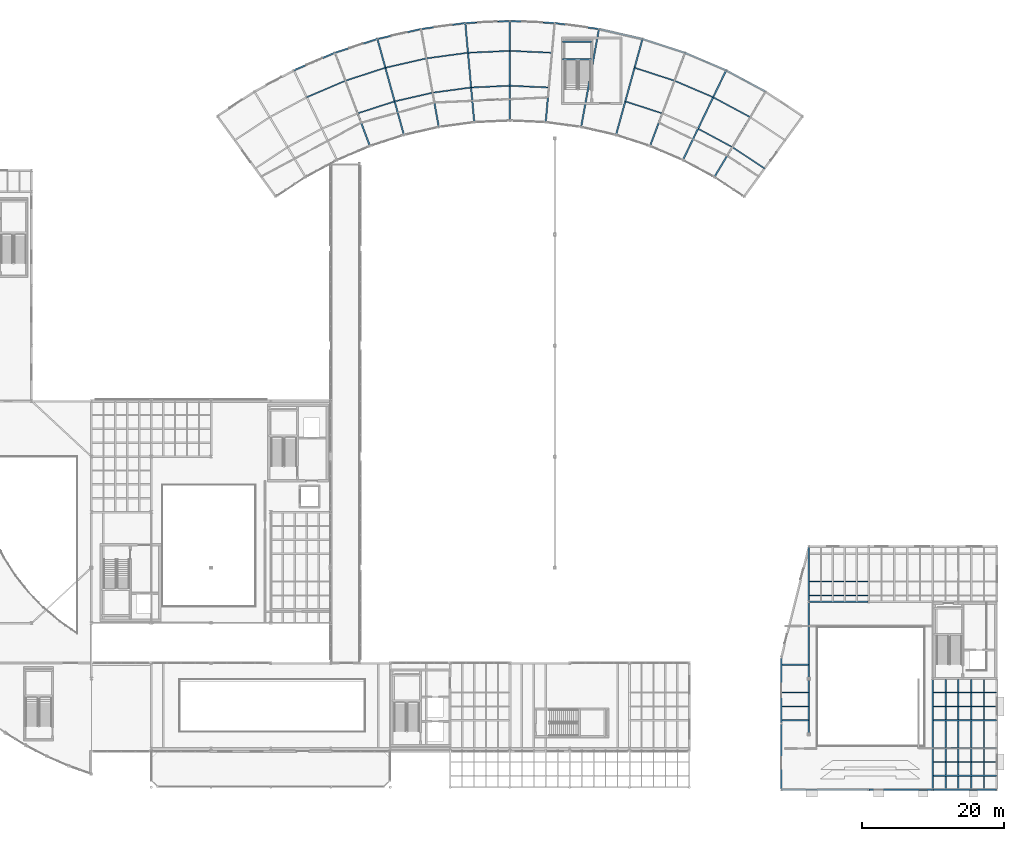
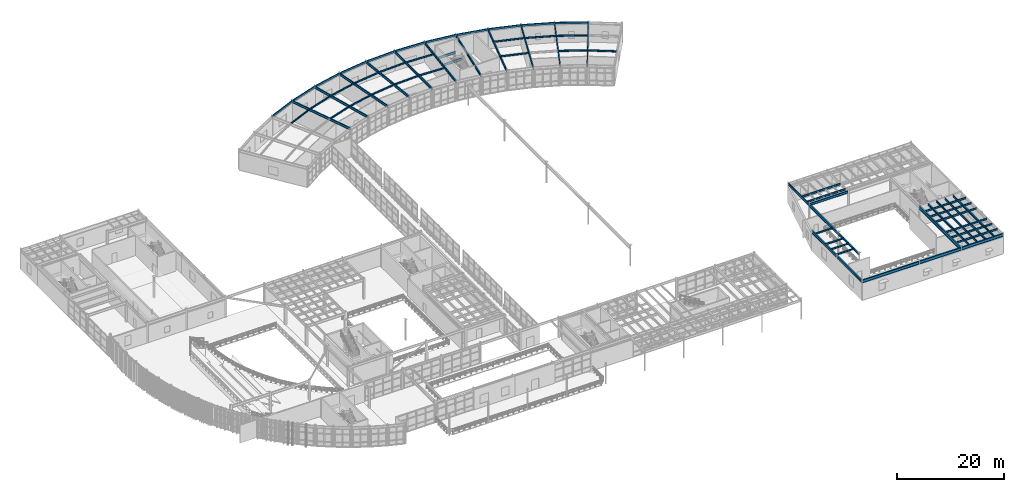
# One storey, part 78 of 116: 67 beams.
"""IFC4 building model written with IfcOpenShell, lengths in metres."""

from ifc_helpers import new_model, si_unit, direction, frame, origin, origin_2d, place, context, subcontext, project, spatial, hollow_rectangle, i_section, extrude, material, material_profile, profile_set, type_object, element, save


model = new_model("IFC4")

# Units and contexts
model_context = context("Model", 3, precision=1e-05, world=origin(), true_north=direction((0.0, 1.0)))
body_context = subcontext(model_context, "Body", "Model", "MODEL_VIEW")
ifc_project = project(units=[si_unit("LENGTHUNIT", "METRE"), si_unit("AREAUNIT", "SQUARE_METRE"), si_unit("VOLUMEUNIT", "CUBIC_METRE"), si_unit("PLANEANGLEUNIT", "RADIAN"), si_unit("MASSUNIT", "GRAM", prefix="KILO")], contexts=[model_context])

# Site, building, storey
site_placement = place(None, origin())
site = spatial("IfcSite", under=ifc_project, at=site_placement, CompositionType="ELEMENT")
building_placement = place(site_placement, origin())
building = spatial("IfcBuilding", under=site, at=building_placement, Name="Selat Folded Stagehouse", CompositionType="ELEMENT")
storey_placement = place(building_placement, frame((0.0, 0.0, 5.39990234375)))
storey = spatial("IfcBuildingStorey", under=building, at=storey_placement, Name="L01", CompositionType="ELEMENT", Elevation=5.39990234375)

# Beams
ifc_material = material(Name="Steel S355", Category="steel")
ifc_material_profile_1 = material_profile(ifc_material, i_section(OverallWidth=0.210693359375, OverallDepth=0.53955078125, WebThickness=0.01171875, FlangeThickness=0.018798828125, FilletRadius=0.0126953125, at=origin_2d()), Name="UKB 533x210x109")
ifc_profile_set_1 = profile_set([ifc_material_profile_1], Name="Steel S355")
beam_type_1 = type_object("IfcBeamType", Name="BM-GIRD-533x210x109", PredefinedType="BEAM", material=ifc_profile_set_1)
beam_1_placement = place(storey_placement, frame((134.39990234375, 7.875, 4.310302734375), z_axis=(0.0, 1.0, 0.0), x_axis=(-1.0, 0.0, 0.0)))
element("IfcBeam", 1, at=beam_1_placement, inside=storey, type_object=beam_type_1, Name="L01 primary y-girder 0843", PredefinedType="BEAM", context=body_context, shape_type="SweptSolid", body=[
    extrude(i_section(OverallWidth=0.210693359375, OverallDepth=0.53955078125, WebThickness=0.01171875, FlangeThickness=0.018798828125, FilletRadius=0.0126953125, at=origin_2d()), origin(), (0.0, 0.0, 1.0), 7.64990234375),
])
beam_2_placement = place(storey_placement, frame((134.39990234375, 26.466796875, 4.310302734375), z_axis=(0.0, 1.0, 0.0), x_axis=(-1.0, 0.0, 0.0)))
element("IfcBeam", 2, at=beam_2_placement, inside=storey, type_object=beam_type_1, Name="L01 primary y-girder 0845", PredefinedType="BEAM", context=body_context, shape_type="SweptSolid", body=[
    extrude(i_section(OverallWidth=0.210693359375, OverallDepth=0.53955078125, WebThickness=0.01171875, FlangeThickness=0.018798828125, FilletRadius=0.0126953125, at=origin_2d()), origin(), (0.0, 0.0, 1.0), 7.66650390625),
])
ifc_material_profile_2 = material_profile(ifc_material, i_section(OverallWidth=0.209228515625, OverallDepth=0.533203125, WebThickness=0.010009765625, FlangeThickness=0.015625, FilletRadius=0.0126953125, at=origin_2d()), Name="UKB 533x210x92")
ifc_profile_set_2 = profile_set([ifc_material_profile_2], Name="Steel S355")
beam_type_2 = type_object("IfcBeamType", Name="BM-GIRD-533x210x92", PredefinedType="BEAM", material=ifc_profile_set_2)
beam_3_placement = place(storey_placement, frame((134.466796875, 26.39990234375, 4.3134765625), z_axis=(1.0, 0.0, 0.0), x_axis=(0.0, 1.0, 0.0)))
element("IfcBeam", 3, at=beam_3_placement, inside=storey, type_object=beam_type_2, Name="L01 primary x-girder 0782", PredefinedType="BEAM", context=body_context, shape_type="SweptSolid", body=[
    extrude(i_section(OverallWidth=0.209228515625, OverallDepth=0.533203125, WebThickness=0.010009765625, FlangeThickness=0.015625, FilletRadius=0.0126953125, at=origin_2d()), origin(), (0.0, 0.0, 1.0), 8.2666015625),
])
beam_4_placement = place(storey_placement, frame((72.722900390625, 90.42919921875, 4.303466796875), z_axis=(-0.35137378289, 0.936235261405, 0.0), x_axis=(-0.936235261405, -0.35137378289, 0.0)))
element("IfcBeam", 4, at=beam_4_placement, inside=storey, type_object=beam_type_2, Name="L01 curved rehearsal radial girder 4", PredefinedType="BEAM", context=body_context, shape_type="SweptSolid", body=[
    extrude(i_section(OverallWidth=0.209228515625, OverallDepth=0.533203125, WebThickness=0.010009765625, FlangeThickness=0.015625, FilletRadius=0.0126953125, at=origin_2d()), origin(), (0.0, 0.0, 1.0), 13.999755859375),
])
for number, where, z_axis, x_axis, name in (
    (5, (77.501953125, 91.98193359375, 4.303466796875), (-0.266045228685, 0.963960547063, 0.0), (-0.963960547063, -0.266045228685, 0.0), "L01 curved rehearsal radial girder 5"),
    (6, (82.40087890625, 93.10009765625, 4.303466796875), (-0.178572369459, 0.983926780236, 0.0), (-0.983926780236, -0.178572369459, 0.0), "L01 curved rehearsal radial girder 6"),
    (7, (87.380126953125, 93.774658203125, 4.303466796875), (-0.089634758742, 0.995974703507, 0.0), (-0.995974703507, -0.089634758742, 0.0), "L01 curved rehearsal radial girder 7"),
    (8, (92.39990234375, 94.0, 4.303466796875), (0.0, 1.0, 0.0), (-1.0, 0.0, 0.0), "L01 curved rehearsal radial girder 8"),
    (9, (97.419921875, 93.774658203125, 4.303466796875), (0.089634758742, 0.995974703507, 0.0), (-0.995974703507, 0.089634758742, 0.0), "L01 curved rehearsal radial girder 9"),
    (10, (102.399169921875, 93.10009765625, 4.303466796875), (0.178555486759, 0.983929844119, 0.0), (-0.983929844119, 0.178555486759, 0.0), "L01 curved rehearsal radial girder 10"),
    (11, (107.298095703125, 91.98193359375, 4.303466796875), (0.266045228685, 0.963960547063, 0.0), (-0.963960547063, 0.266045228685, 0.0), "L01 curved rehearsal radial girder 11"),
):
    element("IfcBeam", number, at=place(storey_placement, frame(where, z_axis=z_axis, x_axis=x_axis)), inside=storey, type_object=beam_type_2, Name=name, PredefinedType="BEAM", context=body_context, shape_type="SweptSolid", body=[
        extrude(i_section(OverallWidth=0.209228515625, OverallDepth=0.533203125, WebThickness=0.010009765625, FlangeThickness=0.015625, FilletRadius=0.0126953125, at=origin_2d()), origin(), (0.0, 0.0, 1.0), 14.0),
    ])
beam_5_placement = place(storey_placement, frame((112.076904296875, 90.42919921875, 4.303466796875), z_axis=(0.35137378289, 0.936235261405, 0.0), x_axis=(-0.936235261405, 0.35137378289, 0.0)))
element("IfcBeam", 12, at=beam_5_placement, inside=storey, type_object=beam_type_2, Name="L01 curved rehearsal radial girder 12", PredefinedType="BEAM", context=body_context, shape_type="SweptSolid", body=[
    extrude(i_section(OverallWidth=0.209228515625, OverallDepth=0.533203125, WebThickness=0.010009765625, FlangeThickness=0.015625, FilletRadius=0.0126953125, at=origin_2d()), origin(), (0.0, 0.0, 1.0), 13.999755859375),
])
for number, where, z_axis, x_axis, name in (
    (13, (116.697509765625, 88.454345703125, 4.303466796875), (0.433890071226, 0.900965818492, 0.0), (-0.900965818492, 0.433890071226, 0.0), "L01 curved rehearsal radial girder 13"),
    (14, (121.122314453125, 86.072998046875, 4.303466796875), (0.512902319154, 0.858446976234, 0.0), (-0.858446976234, 0.512902319154, 0.0), "L01 curved rehearsal radial girder 14"),
):
    element("IfcBeam", number, at=place(storey_placement, frame(where, z_axis=z_axis, x_axis=x_axis)), inside=storey, type_object=beam_type_2, Name=name, PredefinedType="BEAM", context=body_context, shape_type="SweptSolid", body=[
        extrude(i_section(OverallWidth=0.209228515625, OverallDepth=0.533203125, WebThickness=0.010009765625, FlangeThickness=0.015625, FilletRadius=0.0126953125, at=origin_2d()), origin(), (0.0, 0.0, 1.0), 14.0),
    ])
for number, where, z_axis, x_axis, name in (
    (15, (99.800048828125, 102.639892578125, 1.93359375), (1.0, 0.0, 0.0), (0.0, 1.0, 0.0), "L01 ST-06 landing support beam 1"),
    (16, (99.800048828125, 105.080078125, 1.93359375), (1.0, 0.0, 0.0), (0.0, 1.0, 0.0), "L01 ST-06 landing support beam 2"),
):
    element("IfcBeam", number, at=place(storey_placement, frame(where, z_axis=z_axis, x_axis=x_axis)), inside=storey, type_object=beam_type_2, Name=name, PredefinedType="BEAM", context=body_context, shape_type="SweptSolid", body=[
        extrude(i_section(OverallWidth=0.209228515625, OverallDepth=0.533203125, WebThickness=0.010009765625, FlangeThickness=0.015625, FilletRadius=0.0126953125, at=origin_2d()), origin(), (0.0, 0.0, 1.0), 4.079833984375),
    ])
ifc_material_profile_3 = material_profile(ifc_material, i_section(OverallWidth=0.230224609375, OverallDepth=0.6171875, WebThickness=0.01318359375, FlangeThickness=0.022216796875, FilletRadius=0.0126953125, at=origin_2d()), Name="UKB 610x229x140")
ifc_profile_set_3 = profile_set([ifc_material_profile_3], Name="Steel S355")
beam_type_3 = type_object("IfcBeamType", Name="BM-GIRD-610x229x140", PredefinedType="BEAM", material=ifc_profile_set_3)
beam_6_placement = place(storey_placement, frame((130.510009765625, 0.066650390625, 4.271484375), z_axis=(0.0, 1.0, 0.0), x_axis=(-1.0, 0.0, 0.0)))
element("IfcBeam", 17, at=beam_6_placement, inside=storey, type_object=beam_type_3, Name="L01 primary y-girder 0841", PredefinedType="BEAM", context=body_context, shape_type="SweptSolid", body=[
    extrude(i_section(OverallWidth=0.230224609375, OverallDepth=0.6171875, WebThickness=0.01318359375, FlangeThickness=0.022216796875, FilletRadius=0.0126953125, at=origin_2d()), origin(), (0.0, 0.0, 1.0), 9.166748046875),
])
beam_7_placement = place(storey_placement, frame((130.510009765625, 9.36669921875, 4.271484375), z_axis=(0.0, 1.0, 0.0), x_axis=(-1.0, 0.0, 0.0)))
element("IfcBeam", 18, at=beam_7_placement, inside=storey, type_object=beam_type_3, Name="L01 primary y-girder 0842", PredefinedType="BEAM", context=body_context, shape_type="SweptSolid", body=[
    extrude(i_section(OverallWidth=0.230224609375, OverallDepth=0.6171875, WebThickness=0.01318359375, FlangeThickness=0.022216796875, FilletRadius=0.0126953125, at=origin_2d()), origin(), (0.0, 0.0, 1.0), 9.16650390625),
])
beam_8_placement = place(storey_placement, frame((134.39990234375, 15.675048828125, 4.271484375), z_axis=(0.0, 1.0, 0.0), x_axis=(-1.0, 0.0, 0.0)))
element("IfcBeam", 19, at=beam_8_placement, inside=storey, type_object=beam_type_3, Name="L01 primary y-girder 0844", PredefinedType="BEAM", context=body_context, shape_type="SweptSolid", body=[
    extrude(i_section(OverallWidth=0.230224609375, OverallDepth=0.6171875, WebThickness=0.01318359375, FlangeThickness=0.022216796875, FilletRadius=0.0126953125, at=origin_2d()), origin(), (0.0, 0.0, 1.0), 10.658203125),
])
ifc_material_profile_4 = material_profile(ifc_material, i_section(OverallWidth=0.253662109375, OverallDepth=0.68359375, WebThickness=0.012451171875, FlangeThickness=0.01904296875, FilletRadius=0.01513671875, at=origin_2d()), Name="UKB 686x254x140")
ifc_profile_set_4 = profile_set([ifc_material_profile_4], Name="Steel S355")
beam_type_4 = type_object("IfcBeamType", Name="BM-GIRD-686x254x140", PredefinedType="BEAM", material=ifc_profile_set_4)
beam_9_placement = place(storey_placement, frame((130.5771484375, 0.0, 4.23828125), z_axis=(1.0, 0.0, 0.0), x_axis=(0.0, 1.0, 0.0)))
element("IfcBeam", 20, at=beam_9_placement, inside=storey, type_object=beam_type_4, Name="L01 primary x-girder 0750", PredefinedType="BEAM", context=body_context, shape_type="SweptSolid", body=[
    extrude(i_section(OverallWidth=0.253662109375, OverallDepth=0.68359375, WebThickness=0.012451171875, FlangeThickness=0.01904296875, FilletRadius=0.01513671875, at=origin_2d()), origin(), (0.0, 0.0, 1.0), 12.15625),
])
for number, where, z_axis, x_axis, name in (
    (21, (142.86669921875, 0.0, 4.23828125), (1.0, 0.0, 0.0), (0.0, 1.0, 0.0), "L01 primary x-girder 0751"),
    (22, (151.86669921875, 0.0, 4.23828125), (1.0, 0.0, 0.0), (0.0, 1.0, 0.0), "L01 primary x-girder 0752"),
):
    element("IfcBeam", number, at=place(storey_placement, frame(where, z_axis=z_axis, x_axis=x_axis)), inside=storey, type_object=beam_type_4, Name=name, PredefinedType="BEAM", context=body_context, shape_type="SweptSolid", body=[
        extrude(i_section(OverallWidth=0.253662109375, OverallDepth=0.68359375, WebThickness=0.012451171875, FlangeThickness=0.01904296875, FilletRadius=0.01513671875, at=origin_2d()), origin(), (0.0, 0.0, 1.0), 8.86669921875),
    ])
ifc_material_profile_5 = material_profile(ifc_material, i_section(OverallWidth=0.26806640625, OverallDepth=0.769775390625, WebThickness=0.015625, FlangeThickness=0.025390625, FilletRadius=0.0166015625, at=origin_2d()), Name="UKB 762x267x197")
ifc_profile_set_5 = profile_set([ifc_material_profile_5], Name="Steel S355")
beam_type_5 = type_object("IfcBeamType", Name="BM-GIRD-762x267x197", PredefinedType="BEAM", material=ifc_profile_set_5)
beam_10_placement = place(storey_placement, frame((151.800048828125, 0.066650390625, 4.1953125), z_axis=(0.0, 1.0, 0.0), x_axis=(-1.0, 0.0, 0.0)))
element("IfcBeam", 23, at=beam_10_placement, inside=storey, type_object=beam_type_5, Name="L01 primary y-girder 0847", PredefinedType="BEAM", context=body_context, shape_type="SweptSolid", body=[
    extrude(i_section(OverallWidth=0.26806640625, OverallDepth=0.769775390625, WebThickness=0.015625, FlangeThickness=0.025390625, FilletRadius=0.0166015625, at=origin_2d()), origin(), (0.0, 0.0, 1.0), 15.466552734375),
])
ifc_material_profile_6 = material_profile(ifc_material, i_section(OverallWidth=0.17138671875, OverallDepth=0.35498046875, WebThickness=0.00732421875, FlangeThickness=0.011474609375, FilletRadius=0.01025390625, at=origin_2d()), Name="UKB 356x171x51")
ifc_profile_set_6 = profile_set([ifc_material_profile_6], Name="Steel S355")
beam_type_6 = type_object("IfcBeamType", Name="JST-356x171x51", PredefinedType="JOIST", material=ifc_profile_set_6)
for number, where, z_axis, x_axis, name in (
    (24, (130.590576171875, 9.75, 4.402587890625), (1.0, 0.0, 0.0), (0.0, 1.0, 0.0), "L01 secondary x-joist 0939"),
    (25, (130.590576171875, 11.699951171875, 4.402587890625), (1.0, 0.0, 0.0), (0.0, 1.0, 0.0), "L01 secondary x-joist 0943"),
    (26, (130.590576171875, 13.64990234375, 4.402587890625), (1.0, 0.0, 0.0), (0.0, 1.0, 0.0), "L01 secondary x-joist 0947"),
):
    element("IfcBeam", number, at=place(storey_placement, frame(where, z_axis=z_axis, x_axis=x_axis)), inside=storey, type_object=beam_type_6, Name=name, PredefinedType="JOIST", context=body_context, shape_type="SweptSolid", body=[
        extrude(i_section(OverallWidth=0.17138671875, OverallDepth=0.35498046875, WebThickness=0.00732421875, FlangeThickness=0.011474609375, FilletRadius=0.01025390625, at=origin_2d()), origin(), (0.0, 0.0, 1.0), 3.735595703125),
    ])
beam_11_placement = place(storey_placement, frame((130.590576171875, 17.550048828125, 4.402587890625), z_axis=(1.0, 0.0, 0.0), x_axis=(0.0, 1.0, 0.0)))
element("IfcBeam", 27, at=beam_11_placement, inside=storey, type_object=beam_type_6, Name="L01 secondary x-joist 0950", PredefinedType="JOIST", context=body_context, shape_type="SweptSolid", body=[
    extrude(i_section(OverallWidth=0.17138671875, OverallDepth=0.35498046875, WebThickness=0.00732421875, FlangeThickness=0.011474609375, FilletRadius=0.01025390625, at=origin_2d()), origin(), (0.0, 0.0, 1.0), 3.728759765625),
])
beam_12_placement = place(storey_placement, frame((63.850341796875, 97.28369140625, 4.392578125), z_axis=(0.91952743413, 0.393025823429, 0.0), x_axis=(-0.393025823429, 0.91952743413, 0.0)))
element("IfcBeam", 28, at=beam_12_placement, inside=storey, type_object=beam_type_6, Name="L01 curved rehearsal secondary joist 3.2", PredefinedType="JOIST", context=body_context, shape_type="SweptSolid", body=[
    extrude(i_section(OverallWidth=0.17138671875, OverallDepth=0.35498046875, WebThickness=0.00732421875, FlangeThickness=0.011474609375, FilletRadius=0.01025390625, at=origin_2d()), origin(), (0.0, 0.0, 1.0), 5.904296875),
])
beam_13_placement = place(storey_placement, frame((71.001220703125, 95.0166015625, 4.392578125), z_axis=(0.951050811942, 0.309034550017, 0.0), x_axis=(-0.309034550017, 0.951050811942, 0.0)))
element("IfcBeam", 29, at=beam_13_placement, inside=storey, type_object=beam_type_6, Name="L01 curved rehearsal secondary joist 4.1", PredefinedType="JOIST", context=body_context, shape_type="SweptSolid", body=[
    extrude(i_section(OverallWidth=0.17138671875, OverallDepth=0.35498046875, WebThickness=0.00732421875, FlangeThickness=0.011474609375, FilletRadius=0.01025390625, at=origin_2d()), origin(), (0.0, 0.0, 1.0), 5.464599609375),
])
beam_14_placement = place(storey_placement, frame((69.279541015625, 99.604248046875, 4.392578125), z_axis=(0.951058375783, 0.309011271401, 0.0), x_axis=(-0.309011271401, 0.951058375783, 0.0)))
element("IfcBeam", 30, at=beam_14_placement, inside=storey, type_object=beam_type_6, Name="L01 curved rehearsal secondary joist 4.2", PredefinedType="JOIST", context=body_context, shape_type="SweptSolid", body=[
    extrude(i_section(OverallWidth=0.17138671875, OverallDepth=0.35498046875, WebThickness=0.00732421875, FlangeThickness=0.011474609375, FilletRadius=0.01025390625, at=origin_2d()), origin(), (0.0, 0.0, 1.0), 5.904296875),
])
beam_15_placement = place(storey_placement, frame((76.1982421875, 96.705322265625, 4.392578125), z_axis=(0.974925286492, 0.222532437541, 0.0), x_axis=(-0.222532437541, 0.974925286492, 0.0)))
element("IfcBeam", 31, at=beam_15_placement, inside=storey, type_object=beam_type_6, Name="L01 curved rehearsal secondary joist 5.1", PredefinedType="JOIST", context=body_context, shape_type="SweptSolid", body=[
    extrude(i_section(OverallWidth=0.17138671875, OverallDepth=0.35498046875, WebThickness=0.00732421875, FlangeThickness=0.011474609375, FilletRadius=0.01025390625, at=origin_2d()), origin(), (0.0, 0.0, 1.0), 5.464599609375),
])
beam_16_placement = place(storey_placement, frame((74.894775390625, 101.4287109375, 4.392578125), z_axis=(0.974921599993, 0.222548587656, 0.0), x_axis=(-0.222548587656, 0.974921599993, 0.0)))
element("IfcBeam", 32, at=beam_16_placement, inside=storey, type_object=beam_type_6, Name="L01 curved rehearsal secondary joist 5.2", PredefinedType="JOIST", context=body_context, shape_type="SweptSolid", body=[
    extrude(i_section(OverallWidth=0.17138671875, OverallDepth=0.35498046875, WebThickness=0.00732421875, FlangeThickness=0.011474609375, FilletRadius=0.01025390625, at=origin_2d()), origin(), (0.0, 0.0, 1.0), 5.904052734375),
])
beam_17_placement = place(storey_placement, frame((81.52587890625, 97.92138671875, 4.392578125), z_axis=(0.990952644722, 0.134211981278, 0.0), x_axis=(-0.134211981278, 0.990952644722, 0.0)))
element("IfcBeam", 33, at=beam_17_placement, inside=storey, type_object=beam_type_6, Name="L01 curved rehearsal secondary joist 6.1", PredefinedType="JOIST", context=body_context, shape_type="SweptSolid", body=[
    extrude(i_section(OverallWidth=0.17138671875, OverallDepth=0.35498046875, WebThickness=0.00732421875, FlangeThickness=0.011474609375, FilletRadius=0.01025390625, at=origin_2d()), origin(), (0.0, 0.0, 1.0), 5.464599609375),
])
beam_18_placement = place(storey_placement, frame((80.65087890625, 102.74267578125, 4.392578125), z_axis=(0.990951300804, 0.13422190371, 0.0), x_axis=(-0.13422190371, 0.990951300804, 0.0)))
element("IfcBeam", 34, at=beam_18_placement, inside=storey, type_object=beam_type_6, Name="L01 curved rehearsal secondary joist 6.2", PredefinedType="JOIST", context=body_context, shape_type="SweptSolid", body=[
    extrude(i_section(OverallWidth=0.17138671875, OverallDepth=0.35498046875, WebThickness=0.00732421875, FlangeThickness=0.011474609375, FilletRadius=0.01025390625, at=origin_2d()), origin(), (0.0, 0.0, 1.0), 5.904296875),
])
beam_19_placement = place(storey_placement, frame((86.94091796875, 98.65478515625, 4.392578125), z_axis=(0.998993444482, 0.044856414055, 0.0), x_axis=(-0.044856414055, 0.998993444482, 0.0)))
element("IfcBeam", 35, at=beam_19_placement, inside=storey, type_object=beam_type_6, Name="L01 curved rehearsal secondary joist 7.1", PredefinedType="JOIST", context=body_context, shape_type="SweptSolid", body=[
    extrude(i_section(OverallWidth=0.17138671875, OverallDepth=0.35498046875, WebThickness=0.00732421875, FlangeThickness=0.011474609375, FilletRadius=0.01025390625, at=origin_2d()), origin(), (0.0, 0.0, 1.0), 5.464599609375),
])
beam_20_placement = place(storey_placement, frame((86.501708984375, 103.53515625, 4.392578125), z_axis=(0.998993033072, 0.044865575598, 0.0), x_axis=(-0.044865575598, 0.998993033072, 0.0)))
element("IfcBeam", 36, at=beam_20_placement, inside=storey, type_object=beam_type_6, Name="L01 curved rehearsal secondary joist 7.2", PredefinedType="JOIST", context=body_context, shape_type="SweptSolid", body=[
    extrude(i_section(OverallWidth=0.17138671875, OverallDepth=0.35498046875, WebThickness=0.00732421875, FlangeThickness=0.011474609375, FilletRadius=0.01025390625, at=origin_2d()), origin(), (0.0, 0.0, 1.0), 5.904052734375),
])
beam_21_placement = place(storey_placement, frame((92.39990234375, 98.89990234375, 4.392578125), z_axis=(0.998993444482, -0.044856414055, 0.0), x_axis=(0.044856414055, 0.998993444482, 0.0)))
element("IfcBeam", 37, at=beam_21_placement, inside=storey, type_object=beam_type_6, Name="L01 curved rehearsal secondary joist 8.1", PredefinedType="JOIST", context=body_context, shape_type="SweptSolid", body=[
    extrude(i_section(OverallWidth=0.17138671875, OverallDepth=0.35498046875, WebThickness=0.00732421875, FlangeThickness=0.011474609375, FilletRadius=0.01025390625, at=origin_2d()), origin(), (0.0, 0.0, 1.0), 5.464599609375),
])
beam_22_placement = place(storey_placement, frame((92.39990234375, 103.800048828125, 4.392578125), z_axis=(0.998993116303, -0.044863722317, 0.0), x_axis=(0.044863722317, 0.998993116303, 0.0)))
element("IfcBeam", 38, at=beam_22_placement, inside=storey, type_object=beam_type_6, Name="L01 curved rehearsal secondary joist 8.2", PredefinedType="JOIST", context=body_context, shape_type="SweptSolid", body=[
    extrude(i_section(OverallWidth=0.17138671875, OverallDepth=0.35498046875, WebThickness=0.00732421875, FlangeThickness=0.011474609375, FilletRadius=0.01025390625, at=origin_2d()), origin(), (0.0, 0.0, 1.0), 5.904296875),
])
beam_23_placement = place(storey_placement, frame((108.601806640625, 96.705322265625, 4.392578125), z_axis=(0.95104654486, -0.309047681612, 0.0), x_axis=(0.309047681612, 0.95104654486, 0.0)))
element("IfcBeam", 39, at=beam_23_placement, inside=storey, type_object=beam_type_6, Name="L01 curved rehearsal secondary joist 11.1", PredefinedType="JOIST", context=body_context, shape_type="SweptSolid", body=[
    extrude(i_section(OverallWidth=0.17138671875, OverallDepth=0.35498046875, WebThickness=0.00732421875, FlangeThickness=0.011474609375, FilletRadius=0.01025390625, at=origin_2d()), origin(), (0.0, 0.0, 1.0), 5.46435546875),
])
for number, where, z_axis, x_axis, name in (
    (40, (109.9052734375, 101.4287109375, 4.392578125), (0.951058375783, -0.309011271401, 0.0), (0.309011271401, 0.951058375783, 0.0), "L01 curved rehearsal secondary joist 11.2"),
    (41, (115.5205078125, 99.604248046875, 4.392578125), (0.91952743413, -0.393025823429, 0.0), (0.393025823429, 0.91952743413, 0.0), "L01 curved rehearsal secondary joist 12.2"),
):
    element("IfcBeam", number, at=place(storey_placement, frame(where, z_axis=z_axis, x_axis=x_axis)), inside=storey, type_object=beam_type_6, Name=name, PredefinedType="JOIST", context=body_context, shape_type="SweptSolid", body=[
        extrude(i_section(OverallWidth=0.17138671875, OverallDepth=0.35498046875, WebThickness=0.00732421875, FlangeThickness=0.011474609375, FilletRadius=0.01025390625, at=origin_2d()), origin(), (0.0, 0.0, 1.0), 5.904296875),
    ])
beam_24_placement = place(storey_placement, frame((118.823486328125, 92.868896484375, 4.392578125), z_axis=(0.880603050305, -0.47385469059, 0.0), x_axis=(0.47385469059, 0.880603050305, 0.0)))
element("IfcBeam", 42, at=beam_24_placement, inside=storey, type_object=beam_type_6, Name="L01 curved rehearsal secondary joist 13.1", PredefinedType="JOIST", context=body_context, shape_type="SweptSolid", body=[
    extrude(i_section(OverallWidth=0.17138671875, OverallDepth=0.35498046875, WebThickness=0.00732421875, FlangeThickness=0.011474609375, FilletRadius=0.01025390625, at=origin_2d()), origin(), (0.0, 0.0, 1.0), 5.46435546875),
])
beam_25_placement = place(storey_placement, frame((120.94970703125, 97.28369140625, 4.392578125), z_axis=(0.880583938492, -0.473890205923, 0.0), x_axis=(0.473890205923, 0.880583938492, 0.0)))
element("IfcBeam", 43, at=beam_25_placement, inside=storey, type_object=beam_type_6, Name="L01 curved rehearsal secondary joist 13.2", PredefinedType="JOIST", context=body_context, shape_type="SweptSolid", body=[
    extrude(i_section(OverallWidth=0.17138671875, OverallDepth=0.35498046875, WebThickness=0.00732421875, FlangeThickness=0.011474609375, FilletRadius=0.01025390625, at=origin_2d()), origin(), (0.0, 0.0, 1.0), 5.904052734375),
])
beam_26_placement = place(storey_placement, frame((123.635498046875, 90.279541015625, 4.392578125), z_axis=(0.834584757521, -0.550879553545, 0.0), x_axis=(0.550879553545, 0.834584757521, 0.0)))
element("IfcBeam", 44, at=beam_26_placement, inside=storey, type_object=beam_type_6, Name="L01 curved rehearsal secondary joist 14.1", PredefinedType="JOIST", context=body_context, shape_type="SweptSolid", body=[
    extrude(i_section(OverallWidth=0.17138671875, OverallDepth=0.35498046875, WebThickness=0.00732421875, FlangeThickness=0.011474609375, FilletRadius=0.01025390625, at=origin_2d()), origin(), (0.0, 0.0, 1.0), 5.46435546875),
])
ifc_material_profile_7 = material_profile(ifc_material, i_section(OverallWidth=0.177978515625, OverallDepth=0.406494140625, WebThickness=0.0078125, FlangeThickness=0.0126953125, FilletRadius=0.01025390625, at=origin_2d()), Name="UKB 406x178x60")
ifc_profile_set_7 = profile_set([ifc_material_profile_7], Name="Steel S355")
beam_type_7 = type_object("IfcBeamType", Name="JST-406x178x60", PredefinedType="JOIST", material=ifc_profile_set_7)
for number, where, z_axis, x_axis, name in (
    (45, (151.893798828125, 1.949951171875, 4.376953125), (1.0, 0.0, 0.0), (0.0, 1.0, 0.0), "L01 secondary x-joist 0930"),
    (46, (151.893798828125, 3.89990234375, 4.376953125), (1.0, 0.0, 0.0), (0.0, 1.0, 0.0), "L01 secondary x-joist 0935"),
    (47, (151.893798828125, 5.85009765625, 4.376953125), (1.0, 0.0, 0.0), (0.0, 1.0, 0.0), "L01 secondary x-joist 0936"),
    (48, (151.893798828125, 9.75, 4.376953125), (1.0, 0.0, 0.0), (0.0, 1.0, 0.0), "L01 secondary x-joist 0940"),
    (49, (151.893798828125, 11.699951171875, 4.376953125), (1.0, 0.0, 0.0), (0.0, 1.0, 0.0), "L01 secondary x-joist 0944"),
    (50, (151.893798828125, 13.64990234375, 4.376953125), (1.0, 0.0, 0.0), (0.0, 1.0, 0.0), "L01 secondary x-joist 0948"),
):
    element("IfcBeam", number, at=place(storey_placement, frame(where, z_axis=z_axis, x_axis=x_axis)), inside=storey, type_object=beam_type_7, Name=name, PredefinedType="JOIST", context=body_context, shape_type="SweptSolid", body=[
        extrude(i_section(OverallWidth=0.177978515625, OverallDepth=0.406494140625, WebThickness=0.0078125, FlangeThickness=0.0126953125, FilletRadius=0.01025390625, at=origin_2d()), origin(), (0.0, 0.0, 1.0), 8.83251953125),
    ])
for number, where, z_axis, x_axis, name in (
    (51, (134.473876953125, 27.300048828125, 4.376953125), (1.0, 0.0, 0.0), (0.0, 1.0, 0.0), "L01 secondary x-joist 0953"),
    (52, (134.473876953125, 29.25, 4.376953125), (1.0, 0.0, 0.0), (0.0, 1.0, 0.0), "L01 secondary x-joist 0957"),
):
    element("IfcBeam", number, at=place(storey_placement, frame(where, z_axis=z_axis, x_axis=x_axis)), inside=storey, type_object=beam_type_7, Name=name, PredefinedType="JOIST", context=body_context, shape_type="SweptSolid", body=[
        extrude(i_section(OverallWidth=0.177978515625, OverallDepth=0.406494140625, WebThickness=0.0078125, FlangeThickness=0.0126953125, FilletRadius=0.01025390625, at=origin_2d()), origin(), (0.0, 0.0, 1.0), 8.25244140625),
    ])
ifc_material_profile_8 = material_profile(ifc_material, i_section(OverallWidth=0.18994140625, OverallDepth=0.453369140625, WebThickness=0.008544921875, FlangeThickness=0.0126953125, FilletRadius=0.01025390625, at=origin_2d()), Name="UKB 457x191x67")
ifc_profile_set_8 = profile_set([ifc_material_profile_8], Name="Steel S355")
beam_type_8 = type_object("IfcBeamType", Name="JST-457x191x67", PredefinedType="JOIST", material=ifc_profile_set_8)
for number, where, z_axis, x_axis, name in (
    (53, (153.60009765625, 0.0888671875, 4.353515625), (0.0, 1.0, 0.0), (-1.0, 0.0, 0.0), "L01 secondary floor joist 0918"),
    (54, (155.39990234375, 0.0888671875, 4.353515625), (0.0, 1.0, 0.0), (-1.0, 0.0, 0.0), "L01 secondary floor joist 0920"),
    (55, (157.199951171875, 0.0888671875, 4.353515625), (0.0, 1.0, 0.0), (-1.0, 0.0, 0.0), "L01 secondary floor joist 0922"),
    (56, (159.0, 0.0888671875, 4.353515625), (0.0, 1.0, 0.0), (-1.0, 0.0, 0.0), "L01 secondary floor joist 0924"),
):
    element("IfcBeam", number, at=place(storey_placement, frame(where, z_axis=z_axis, x_axis=x_axis)), inside=storey, type_object=beam_type_8, Name=name, PredefinedType="JOIST", context=body_context, shape_type="SweptSolid", body=[
        extrude(i_section(OverallWidth=0.18994140625, OverallDepth=0.453369140625, WebThickness=0.008544921875, FlangeThickness=0.0126953125, FilletRadius=0.01025390625, at=origin_2d()), origin(), (0.0, 0.0, 1.0), 15.42236328125),
    ])
ifc_material_profile_9 = material_profile(ifc_material, hollow_rectangle(XDim=0.199951171875, YDim=0.39990234375, WallThickness=0.012451171875, at=origin_2d()), Name="RHS 400x200x12.5")
ifc_profile_set_9 = profile_set([ifc_material_profile_9], Name="Steel S355")
beam_type_9 = type_object("IfcBeamType", Name="SPD-EXT-400x200", PredefinedType="SPANDREL", material=ifc_profile_set_9)
for number, where, z_axis, x_axis, name in (
    (57, (62.028076171875, 101.06787109375, 4.3701171875), (0.919534614305, 0.393009024189, 0.0), (-0.393009024189, 0.919534614305, 0.0), "L01 outer curved rehearsal spandrel 3"),
    (58, (67.8037109375, 103.536376953125, 4.3701171875), (0.951058059905, 0.309012243593, 0.0), (-0.309012243593, 0.951058059905, 0.0), "L01 outer curved rehearsal spandrel 4"),
    (59, (73.77734375, 105.477294921875, 4.3701171875), (0.974926249486, 0.222528218575, 0.0), (-0.222528218575, 0.974926249486, 0.0), "L01 outer curved rehearsal spandrel 5"),
):
    element("IfcBeam", number, at=place(storey_placement, frame(where, z_axis=z_axis, x_axis=x_axis)), inside=storey, type_object=beam_type_9, Name=name, PredefinedType="SPANDREL", context=body_context, shape_type="SweptSolid", body=[
        extrude(hollow_rectangle(XDim=0.199951171875, YDim=0.39990234375, WallThickness=0.012451171875, at=origin_2d()), origin(), (0.0, 0.0, 1.0), 6.281005859375),
    ])
beam_27_placement = place(storey_placement, frame((79.90087890625, 106.875, 4.3701171875), z_axis=(0.990947344037, 0.134251113014, 0.0), x_axis=(-0.134251113014, 0.990947344037, 0.0)))
element("IfcBeam", 60, at=beam_27_placement, inside=storey, type_object=beam_type_9, Name="L01 outer curved rehearsal spandrel 6", PredefinedType="SPANDREL", context=body_context, shape_type="SweptSolid", body=[
    extrude(hollow_rectangle(XDim=0.199951171875, YDim=0.39990234375, WallThickness=0.012451171875, at=origin_2d()), origin(), (0.0, 0.0, 1.0), 6.28125),
])
beam_28_placement = place(storey_placement, frame((86.125244140625, 107.71826171875, 4.3701171875), z_axis=(0.998993472837, 0.044855782563, 0.0), x_axis=(-0.044855782563, 0.998993472837, 0.0)))
element("IfcBeam", 61, at=beam_28_placement, inside=storey, type_object=beam_type_9, Name="L01 outer curved rehearsal spandrel 7", PredefinedType="SPANDREL", context=body_context, shape_type="SweptSolid", body=[
    extrude(hollow_rectangle(XDim=0.199951171875, YDim=0.39990234375, WallThickness=0.012451171875, at=origin_2d()), origin(), (0.0, 0.0, 1.0), 6.281005859375),
])
beam_29_placement = place(storey_placement, frame((92.39990234375, 108.0, 4.3701171875), z_axis=(0.99899355104, -0.044854040849, 0.0), x_axis=(0.044854040849, 0.99899355104, 0.0)))
element("IfcBeam", 62, at=beam_29_placement, inside=storey, type_object=beam_type_9, Name="L01 outer curved rehearsal spandrel 8", PredefinedType="SPANDREL", context=body_context, shape_type="SweptSolid", body=[
    extrude(hollow_rectangle(XDim=0.199951171875, YDim=0.39990234375, WallThickness=0.012451171875, at=origin_2d()), origin(), (0.0, 0.0, 1.0), 6.28125),
])
beam_30_placement = place(storey_placement, frame((98.6748046875, 107.71826171875, 4.3701171875), z_axis=(0.990946643459, -0.134256284087, 0.0), x_axis=(0.134256284087, 0.990946643459, 0.0)))
element("IfcBeam", 63, at=beam_30_placement, inside=storey, type_object=beam_type_9, Name="L01 outer curved rehearsal spandrel 9", PredefinedType="SPANDREL", context=body_context, shape_type="SweptSolid", body=[
    extrude(hollow_rectangle(XDim=0.199951171875, YDim=0.39990234375, WallThickness=0.012451171875, at=origin_2d()), origin(), (0.0, 0.0, 1.0), 6.281005859375),
])
beam_31_placement = place(storey_placement, frame((104.89892578125, 106.875, 4.3701171875), z_axis=(0.974928174151, -0.22251978619, 0.0), x_axis=(0.22251978619, 0.974928174151, 0.0)))
element("IfcBeam", 64, at=beam_31_placement, inside=storey, type_object=beam_type_9, Name="L01 outer curved rehearsal spandrel 10", PredefinedType="SPANDREL", context=body_context, shape_type="SweptSolid", body=[
    extrude(hollow_rectangle(XDim=0.199951171875, YDim=0.39990234375, WallThickness=0.012451171875, at=origin_2d()), origin(), (0.0, 0.0, 1.0), 6.28125),
])
beam_32_placement = place(storey_placement, frame((111.022705078125, 105.477294921875, 4.3701171875), z_axis=(0.951054348109, -0.309023667285, 0.0), x_axis=(0.309023667285, 0.951054348109, 0.0)))
element("IfcBeam", 65, at=beam_32_placement, inside=storey, type_object=beam_type_9, Name="L01 outer curved rehearsal spandrel 11", PredefinedType="SPANDREL", context=body_context, shape_type="SweptSolid", body=[
    extrude(hollow_rectangle(XDim=0.199951171875, YDim=0.39990234375, WallThickness=0.012451171875, at=origin_2d()), origin(), (0.0, 0.0, 1.0), 6.28076171875),
])
beam_33_placement = place(storey_placement, frame((116.99609375, 103.536376953125, 4.3701171875), z_axis=(0.919540617607, -0.392994977793, 0.0), x_axis=(0.392994977793, 0.919540617607, 0.0)))
element("IfcBeam", 66, at=beam_33_placement, inside=storey, type_object=beam_type_9, Name="L01 outer curved rehearsal spandrel 12", PredefinedType="SPANDREL", context=body_context, shape_type="SweptSolid", body=[
    extrude(hollow_rectangle(XDim=0.199951171875, YDim=0.39990234375, WallThickness=0.012451171875, at=origin_2d()), origin(), (0.0, 0.0, 1.0), 6.28125),
])
beam_34_placement = place(storey_placement, frame((122.77197265625, 101.06787109375, 4.3701171875), z_axis=(0.880582156138, -0.473893517883, 0.0), x_axis=(0.473893517883, 0.880582156138, 0.0)))
element("IfcBeam", 67, at=beam_34_placement, inside=storey, type_object=beam_type_9, Name="L01 outer curved rehearsal spandrel 13", PredefinedType="SPANDREL", context=body_context, shape_type="SweptSolid", body=[
    extrude(hollow_rectangle(XDim=0.199951171875, YDim=0.39990234375, WallThickness=0.012451171875, at=origin_2d()), origin(), (0.0, 0.0, 1.0), 6.281005859375),
])

save(model, "model.ifc")
